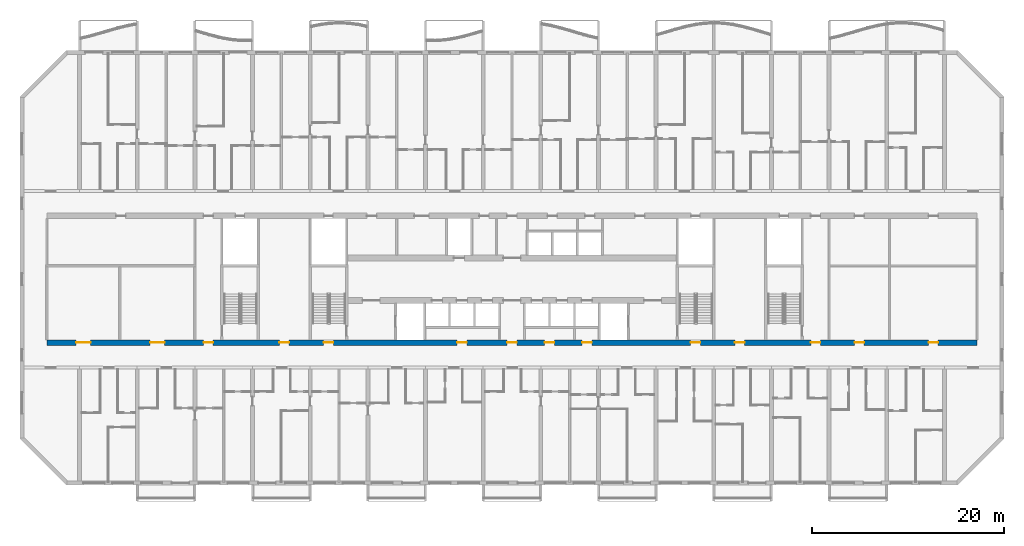
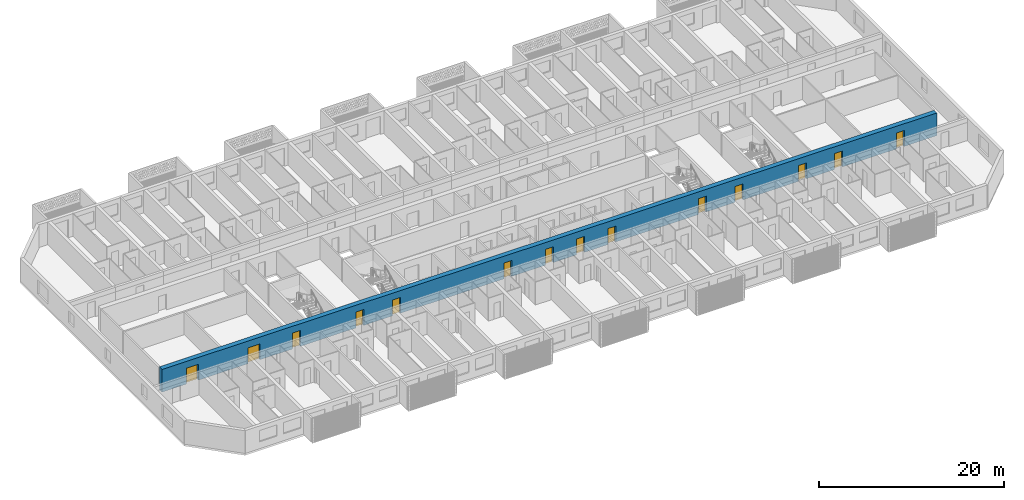
# One storey, part 7 of 38: 14 doors, 1 wall, 14 openings.
"""IFC4 building model written with IfcOpenShell, lengths in metres."""

from ifc_helpers import new_model, si_unit, direction, frame, frame_2d, origin, place, context, subcontext, project, spatial, rectangle, extrude, material, layer, layer_set, type_object, element, fill, save


model = new_model("IFC4")

# Units and contexts
model_context = context("Model", 3, precision=1e-05, world=origin(), true_north=direction((0.0, 1.0)))
body_context = subcontext(model_context, "Body", "Model", "MODEL_VIEW")
ifc_project = project(units=[si_unit("LENGTHUNIT", "METRE"), si_unit("AREAUNIT", "SQUARE_METRE"), si_unit("VOLUMEUNIT", "CUBIC_METRE"), si_unit("PLANEANGLEUNIT", "RADIAN"), si_unit("MASSUNIT", "GRAM", prefix="KILO")], contexts=[model_context])

# Site, building, storey
site_placement = place(None, origin())
site = spatial("IfcSite", under=ifc_project, at=site_placement, CompositionType="ELEMENT")
building_placement = place(site_placement, origin())
building = spatial("IfcBuilding", under=site, at=building_placement, Name="Poui Terraces", CompositionType="ELEMENT")
storey_placement = place(building_placement, frame((0.0, 0.0, 49.800048828125)))
storey = spatial("IfcBuildingStorey", under=building, at=storey_placement, Name="L13", CompositionType="ELEMENT", Elevation=49.800048828125)

# Wall, openings, doors
ifc_material_1 = material(Name="Concrete 80 MPa", Category="concrete")
ifc_layer = layer(ifc_material_1, 0.60009765625)
ifc_layer_set = layer_set([ifc_layer], Name="Concrete 80 MPa")
wall_type = type_object("IfcWallType", Name="SPINE WALL 600 80 MPA", PredefinedType="SOLIDWALL", material=ifc_layer_set)
wall_placement = place(storey_placement, frame((2.60009765625, 14.60009765625, 0.0), z_axis=(0.0, 0.0, 1.0), x_axis=(1.0, 0.0, 0.0)))
wall = element("IfcWall", 1, at=wall_placement, inside=storey, type_object=wall_type, Name="SPINE WALL", PredefinedType="SOLIDWALL", context=body_context, shape_type="SweptSolid", body=[
    extrude(rectangle(XDim=96.7998046875, YDim=0.60009765625, at=frame_2d((48.39990234375, 0.0))), origin(), (0.0, 0.0, 1.0), 3.0),
])
opening_1_placement = place(wall_placement, frame((3.050048828125, 0.0, 0.0)))
opening_1 = element("IfcOpeningElement", 2, at=opening_1_placement, cuts=wall, Name="Opening FDP", PredefinedType="OPENING", context=body_context, shape_type="SweptSolid", body=[
    extrude(rectangle(XDim=1.5, YDim=2.10009765625, at=frame_2d((0.75, 1.050048828125))), frame((0.0, 0.31005859375, 0.0), z_axis=(0.0, -1.0, 0.0), x_axis=(1.0, 0.0, 0.0)), (0.0, 0.0, 1.0), 0.6201171875),
])
opening_2_placement = place(wall_placement, frame((10.75, 0.0, 0.0)))
opening_2 = element("IfcOpeningElement", 3, at=opening_2_placement, cuts=wall, Name="Opening FDP", PredefinedType="OPENING", context=body_context, shape_type="SweptSolid", body=[
    extrude(rectangle(XDim=1.5, YDim=2.10009765625, at=frame_2d((0.75, 1.050048828125))), frame((0.0, 0.31005859375, 0.0), z_axis=(0.0, -1.0, 0.0), x_axis=(1.0, 0.0, 0.0)), (0.0, 0.0, 1.0), 0.6201171875),
])
opening_3_placement = place(wall_placement, frame((16.300048828125, 0.0, 0.0)))
opening_3 = element("IfcOpeningElement", 4, at=opening_3_placement, cuts=wall, Name="Opening FDL", PredefinedType="OPENING", context=body_context, shape_type="SweptSolid", body=[
    extrude(rectangle(XDim=1.0, YDim=2.10009765625, at=frame_2d((0.5, 1.050048828125))), frame((0.0, 0.31005859375, 0.0), z_axis=(0.0, -1.0, 0.0), x_axis=(1.0, 0.0, 0.0)), (0.0, 0.0, 1.0), 0.6201171875),
])
opening_4_placement = place(wall_placement, frame((24.199951171875, 0.0, 0.0)))
opening_4 = element("IfcOpeningElement", 5, at=opening_4_placement, cuts=wall, Name="Opening D100", PredefinedType="OPENING", context=body_context, shape_type="SweptSolid", body=[
    extrude(rectangle(XDim=1.0, YDim=2.10009765625, at=frame_2d((0.5, 1.050048828125))), frame((0.0, 0.31005859375, 0.0), z_axis=(0.0, -1.0, 0.0), x_axis=(1.0, 0.0, 0.0)), (0.0, 0.0, 1.0), 0.6201171875),
])
opening_5_placement = place(wall_placement, frame((28.800048828125, 0.0, 0.0)))
opening_5 = element("IfcOpeningElement", 6, at=opening_5_placement, cuts=wall, Name="Opening FD60S", PredefinedType="OPENING", context=body_context, shape_type="SweptSolid", body=[
    extrude(rectangle(XDim=1.0, YDim=2.10009765625, at=frame_2d((0.5, 1.050048828125))), frame((0.0, 0.31005859375, 0.0), z_axis=(0.0, -1.0, 0.0), x_axis=(1.0, 0.0, 0.0)), (0.0, 0.0, 1.0), 0.6201171875),
])
opening_6_placement = place(wall_placement, frame((42.699951171875, 0.0, 0.0)))
opening_6 = element("IfcOpeningElement", 7, at=opening_6_placement, cuts=wall, Name="Opening FD60", PredefinedType="OPENING", context=body_context, shape_type="SweptSolid", body=[
    extrude(rectangle(XDim=1.0, YDim=2.10009765625, at=frame_2d((0.5, 1.050048828125))), frame((0.0, 0.31005859375, 0.0), z_axis=(0.0, -1.0, 0.0), x_axis=(1.0, 0.0, 0.0)), (0.0, 0.0, 1.0), 0.6201171875),
])
opening_7_placement = place(wall_placement, frame((47.89990234375, 0.0, 0.0)))
opening_7 = element("IfcOpeningElement", 8, at=opening_7_placement, cuts=wall, Name="Opening FDL", PredefinedType="OPENING", context=body_context, shape_type="SweptSolid", body=[
    extrude(rectangle(XDim=1.0, YDim=2.10009765625, at=frame_2d((0.5, 1.050048828125))), frame((0.0, 0.31005859375, 0.0), z_axis=(0.0, -1.0, 0.0), x_axis=(1.0, 0.0, 0.0)), (0.0, 0.0, 1.0), 0.6201171875),
])
opening_8_placement = place(wall_placement, frame((51.800048828125, 0.0, 0.0)))
opening_8 = element("IfcOpeningElement", 9, at=opening_8_placement, cuts=wall, Name="Opening FD60", PredefinedType="OPENING", context=body_context, shape_type="SweptSolid", body=[
    extrude(rectangle(XDim=1.0, YDim=2.10009765625, at=frame_2d((0.5, 1.050048828125))), frame((0.0, 0.31005859375, 0.0), z_axis=(0.0, -1.0, 0.0), x_axis=(1.0, 0.0, 0.0)), (0.0, 0.0, 1.0), 0.6201171875),
])
opening_9_placement = place(wall_placement, frame((55.699951171875, 0.0, 0.0)))
opening_9 = element("IfcOpeningElement", 10, at=opening_9_placement, cuts=wall, Name="Opening FD60", PredefinedType="OPENING", context=body_context, shape_type="SweptSolid", body=[
    extrude(rectangle(XDim=1.0, YDim=2.10009765625, at=frame_2d((0.5, 1.050048828125))), frame((0.0, 0.31005859375, 0.0), z_axis=(0.0, -1.0, 0.0), x_axis=(1.0, 0.0, 0.0)), (0.0, 0.0, 1.0), 0.6201171875),
])
opening_10_placement = place(wall_placement, frame((67.0, 0.0, 0.0)))
opening_10 = element("IfcOpeningElement", 11, at=opening_10_placement, cuts=wall, Name="Opening FD60S", PredefinedType="OPENING", context=body_context, shape_type="SweptSolid", body=[
    extrude(rectangle(XDim=1.0, YDim=2.10009765625, at=frame_2d((0.5, 1.050048828125))), frame((0.0, 0.31005859375, 0.0), z_axis=(0.0, -1.0, 0.0), x_axis=(1.0, 0.0, 0.0)), (0.0, 0.0, 1.0), 0.6201171875),
])
opening_11_placement = place(wall_placement, frame((71.60009765625, 0.0, 0.0)))
opening_11 = element("IfcOpeningElement", 12, at=opening_11_placement, cuts=wall, Name="Opening D100", PredefinedType="OPENING", context=body_context, shape_type="SweptSolid", body=[
    extrude(rectangle(XDim=1.0, YDim=2.10009765625, at=frame_2d((0.5, 1.050048828125))), frame((0.0, 0.31005859375, 0.0), z_axis=(0.0, -1.0, 0.0), x_axis=(1.0, 0.0, 0.0)), (0.0, 0.0, 1.0), 0.6201171875),
])
opening_12_placement = place(wall_placement, frame((79.5, 0.0, 0.0)))
opening_12 = element("IfcOpeningElement", 13, at=opening_12_placement, cuts=wall, Name="Opening FDL", PredefinedType="OPENING", context=body_context, shape_type="SweptSolid", body=[
    extrude(rectangle(XDim=1.0, YDim=2.10009765625, at=frame_2d((0.5, 1.050048828125))), frame((0.0, 0.31005859375, 0.0), z_axis=(0.0, -1.0, 0.0), x_axis=(1.0, 0.0, 0.0)), (0.0, 0.0, 1.0), 0.6201171875),
])
opening_13_placement = place(wall_placement, frame((84.050048828125, 0.0, 0.0)))
opening_13 = element("IfcOpeningElement", 14, at=opening_13_placement, cuts=wall, Name="Opening FD60", PredefinedType="OPENING", context=body_context, shape_type="SweptSolid", body=[
    extrude(rectangle(XDim=1.0, YDim=2.10009765625, at=frame_2d((0.5, 1.050048828125))), frame((0.0, 0.31005859375, 0.0), z_axis=(0.0, -1.0, 0.0), x_axis=(1.0, 0.0, 0.0)), (0.0, 0.0, 1.0), 0.6201171875),
])
opening_14_placement = place(wall_placement, frame((91.75, 0.0, 0.0)))
opening_14 = element("IfcOpeningElement", 15, at=opening_14_placement, cuts=wall, Name="Opening FD60", PredefinedType="OPENING", context=body_context, shape_type="SweptSolid", body=[
    extrude(rectangle(XDim=1.0, YDim=2.10009765625, at=frame_2d((0.5, 1.050048828125))), frame((0.0, 0.31005859375, 0.0), z_axis=(0.0, -1.0, 0.0), x_axis=(1.0, 0.0, 0.0)), (0.0, 0.0, 1.0), 0.6201171875),
])
ifc_material_2 = material(Name="Solid core timber door", Category="wood")
door_type_1 = type_object("IfcDoorType", Name="ACCESSIBLE INTERNAL DOOR 1000 X 2100", OperationType="NOTDEFINED", PredefinedType="DOOR", material=ifc_material_2)
door_1_placement = place(opening_4_placement, frame((1.0, 0.0, 0.0), z_axis=(0.0, 0.0, 1.0), x_axis=(-1.0, 0.0, 0.0)))
door_1 = element("IfcDoor", 16, at=door_1_placement, inside=storey, type_object=door_type_1, Name="ACCESSIBLE INTERNAL DOOR 020", OperationType="SINGLE_SWING_RIGHT", OverallHeight=2.10009765625, OverallWidth=1.0, PredefinedType="DOOR", context=body_context, shape_type="SweptSolid", body=[
    extrude(rectangle(XDim=1.0, YDim=2.10009765625, at=frame_2d((0.5, 1.050048828125))), frame((0.0, 0.02490234375, 0.0), z_axis=(0.0, -1.0, 0.0), x_axis=(1.0, 0.0, 0.0)), (0.0, 0.0, 1.0), 0.050048828125),
])
fill(opening_4, door_1)
door_2_placement = place(opening_11_placement, frame((1.0, 0.0, 0.0), z_axis=(0.0, 0.0, 1.0), x_axis=(-1.0, 0.0, 0.0)))
door_2 = element("IfcDoor", 17, at=door_2_placement, inside=storey, type_object=door_type_1, Name="ACCESSIBLE INTERNAL DOOR 027", OperationType="SINGLE_SWING_LEFT", OverallHeight=2.10009765625, OverallWidth=1.0, PredefinedType="DOOR", context=body_context, shape_type="SweptSolid", body=[
    extrude(rectangle(XDim=1.0, YDim=2.10009765625, at=frame_2d((0.5, 1.050048828125))), frame((0.0, 0.02490234375, 0.0), z_axis=(0.0, -1.0, 0.0), x_axis=(1.0, 0.0, 0.0)), (0.0, 0.0, 1.0), 0.050048828125),
])
fill(opening_11, door_2)
ifc_material_3 = material(Name="Steel fire door", Category="steel")
door_type_2 = type_object("IfcDoorType", Name="LOBBY FIRE DOOR 1000 X 2100", OperationType="NOTDEFINED", PredefinedType="DOOR", material=ifc_material_3)
door_3_placement = place(opening_3_placement, frame((1.0, 0.0, 0.0), z_axis=(0.0, 0.0, 1.0), x_axis=(-1.0, 0.0, 0.0)))
door_3 = element("IfcDoor", 18, at=door_3_placement, inside=storey, type_object=door_type_2, Name="LOBBY FIRE DOOR 019", OperationType="SINGLE_SWING_RIGHT", OverallHeight=2.10009765625, OverallWidth=1.0, PredefinedType="DOOR", context=body_context, shape_type="SweptSolid", body=[
    extrude(rectangle(XDim=1.0, YDim=2.10009765625, at=frame_2d((0.5, 1.050048828125))), frame((0.0, 0.02490234375, 0.0), z_axis=(0.0, -1.0, 0.0), x_axis=(1.0, 0.0, 0.0)), (0.0, 0.0, 1.0), 0.050048828125),
])
fill(opening_3, door_3)
door_4_placement = place(opening_7_placement, frame((1.0, 0.0, 0.0), z_axis=(0.0, 0.0, 1.0), x_axis=(-1.0, 0.0, 0.0)))
door_4 = element("IfcDoor", 19, at=door_4_placement, inside=storey, type_object=door_type_2, Name="LOBBY FIRE DOOR 023", OperationType="SINGLE_SWING_LEFT", OverallHeight=2.10009765625, OverallWidth=1.0, PredefinedType="DOOR", context=body_context, shape_type="SweptSolid", body=[
    extrude(rectangle(XDim=1.0, YDim=2.10009765625, at=frame_2d((0.5, 1.050048828125))), frame((0.0, 0.02490234375, 0.0), z_axis=(0.0, -1.0, 0.0), x_axis=(1.0, 0.0, 0.0)), (0.0, 0.0, 1.0), 0.050048828125),
])
fill(opening_7, door_4)
door_5_placement = place(opening_12_placement, frame((1.0, 0.0, 0.0), z_axis=(0.0, 0.0, 1.0), x_axis=(-1.0, 0.0, 0.0)))
door_5 = element("IfcDoor", 20, at=door_5_placement, inside=storey, type_object=door_type_2, Name="LOBBY FIRE DOOR 028", OperationType="SINGLE_SWING_LEFT", OverallHeight=2.10009765625, OverallWidth=1.0, PredefinedType="DOOR", context=body_context, shape_type="SweptSolid", body=[
    extrude(rectangle(XDim=1.0, YDim=2.10009765625, at=frame_2d((0.5, 1.050048828125))), frame((0.0, 0.02490234375, 0.0), z_axis=(0.0, -1.0, 0.0), x_axis=(1.0, 0.0, 0.0)), (0.0, 0.0, 1.0), 0.050048828125),
])
fill(opening_12, door_5)
door_type_3 = type_object("IfcDoorType", Name="PLANT ROOM DOOR PAIR 1500 X 2100", OperationType="DOUBLE_DOOR_SINGLE_SWING", PredefinedType="DOOR", material=ifc_material_3)
door_6_placement = place(opening_1_placement, frame((1.5, 0.0, 0.0), z_axis=(0.0, 0.0, 1.0), x_axis=(-1.0, 0.0, 0.0)))
door_6 = element("IfcDoor", 21, at=door_6_placement, inside=storey, type_object=door_type_3, Name="PLANT ROOM DOOR PAIR 017", OperationType="DOUBLE_DOOR_SINGLE_SWING", OverallHeight=2.10009765625, OverallWidth=1.5, PredefinedType="DOOR", context=body_context, shape_type="SweptSolid", body=[
    extrude(rectangle(XDim=1.5, YDim=2.10009765625, at=frame_2d((0.75, 1.050048828125))), frame((0.0, 0.02490234375, 0.0), z_axis=(0.0, -1.0, 0.0), x_axis=(1.0, 0.0, 0.0)), (0.0, 0.0, 1.0), 0.050048828125),
])
fill(opening_1, door_6)
door_7_placement = place(opening_2_placement, frame((1.5, 0.0, 0.0), z_axis=(0.0, 0.0, 1.0), x_axis=(-1.0, 0.0, 0.0)))
door_7 = element("IfcDoor", 22, at=door_7_placement, inside=storey, type_object=door_type_3, Name="PLANT ROOM DOOR PAIR 018", OperationType="DOUBLE_DOOR_SINGLE_SWING", OverallHeight=2.10009765625, OverallWidth=1.5, PredefinedType="DOOR", context=body_context, shape_type="SweptSolid", body=[
    extrude(rectangle(XDim=1.5, YDim=2.10009765625, at=frame_2d((0.75, 1.050048828125))), frame((0.0, 0.02490234375, 0.0), z_axis=(0.0, -1.0, 0.0), x_axis=(1.0, 0.0, 0.0)), (0.0, 0.0, 1.0), 0.050048828125),
])
fill(opening_2, door_7)
door_type_4 = type_object("IfcDoorType", Name="SERVICE ROOM FIRE DOOR 1000 X 2100", OperationType="NOTDEFINED", PredefinedType="DOOR", material=ifc_material_3)
door_8_placement = place(opening_6_placement, frame((1.0, 0.0, 0.0), z_axis=(0.0, 0.0, 1.0), x_axis=(-1.0, 0.0, 0.0)))
door_8 = element("IfcDoor", 23, at=door_8_placement, inside=storey, type_object=door_type_4, Name="SERVICE ROOM FIRE DOOR 022", OperationType="SINGLE_SWING_LEFT", OverallHeight=2.10009765625, OverallWidth=1.0, PredefinedType="DOOR", context=body_context, shape_type="SweptSolid", body=[
    extrude(rectangle(XDim=1.0, YDim=2.10009765625, at=frame_2d((0.5, 1.050048828125))), frame((0.0, 0.02490234375, 0.0), z_axis=(0.0, -1.0, 0.0), x_axis=(1.0, 0.0, 0.0)), (0.0, 0.0, 1.0), 0.050048828125),
])
fill(opening_6, door_8)
door_9_placement = place(opening_8_placement, frame((1.0, 0.0, 0.0), z_axis=(0.0, 0.0, 1.0), x_axis=(-1.0, 0.0, 0.0)))
door_9 = element("IfcDoor", 24, at=door_9_placement, inside=storey, type_object=door_type_4, Name="SERVICE ROOM FIRE DOOR 024", OperationType="SINGLE_SWING_RIGHT", OverallHeight=2.10009765625, OverallWidth=1.0, PredefinedType="DOOR", context=body_context, shape_type="SweptSolid", body=[
    extrude(rectangle(XDim=1.0, YDim=2.10009765625, at=frame_2d((0.5, 1.050048828125))), frame((0.0, 0.02490234375, 0.0), z_axis=(0.0, -1.0, 0.0), x_axis=(1.0, 0.0, 0.0)), (0.0, 0.0, 1.0), 0.050048828125),
])
fill(opening_8, door_9)
door_10_placement = place(opening_9_placement, frame((1.0, 0.0, 0.0), z_axis=(0.0, 0.0, 1.0), x_axis=(-1.0, 0.0, 0.0)))
door_10 = element("IfcDoor", 25, at=door_10_placement, inside=storey, type_object=door_type_4, Name="SERVICE ROOM FIRE DOOR 025", OperationType="SINGLE_SWING_LEFT", OverallHeight=2.10009765625, OverallWidth=1.0, PredefinedType="DOOR", context=body_context, shape_type="SweptSolid", body=[
    extrude(rectangle(XDim=1.0, YDim=2.10009765625, at=frame_2d((0.5, 1.050048828125))), frame((0.0, 0.02490234375, 0.0), z_axis=(0.0, -1.0, 0.0), x_axis=(1.0, 0.0, 0.0)), (0.0, 0.0, 1.0), 0.050048828125),
])
fill(opening_9, door_10)
door_11_placement = place(opening_13_placement, frame((1.0, 0.0, 0.0), z_axis=(0.0, 0.0, 1.0), x_axis=(-1.0, 0.0, 0.0)))
door_11 = element("IfcDoor", 26, at=door_11_placement, inside=storey, type_object=door_type_4, Name="SERVICE ROOM FIRE DOOR 029", OperationType="SINGLE_SWING_LEFT", OverallHeight=2.10009765625, OverallWidth=1.0, PredefinedType="DOOR", context=body_context, shape_type="SweptSolid", body=[
    extrude(rectangle(XDim=1.0, YDim=2.10009765625, at=frame_2d((0.5, 1.050048828125))), frame((0.0, 0.02490234375, 0.0), z_axis=(0.0, -1.0, 0.0), x_axis=(1.0, 0.0, 0.0)), (0.0, 0.0, 1.0), 0.050048828125),
])
fill(opening_13, door_11)
door_12_placement = place(opening_14_placement, frame((1.0, 0.0, 0.0), z_axis=(0.0, 0.0, 1.0), x_axis=(-1.0, 0.0, 0.0)))
door_12 = element("IfcDoor", 27, at=door_12_placement, inside=storey, type_object=door_type_4, Name="SERVICE ROOM FIRE DOOR 030", OperationType="SINGLE_SWING_RIGHT", OverallHeight=2.10009765625, OverallWidth=1.0, PredefinedType="DOOR", context=body_context, shape_type="SweptSolid", body=[
    extrude(rectangle(XDim=1.0, YDim=2.10009765625, at=frame_2d((0.5, 1.050048828125))), frame((0.0, 0.02490234375, 0.0), z_axis=(0.0, -1.0, 0.0), x_axis=(1.0, 0.0, 0.0)), (0.0, 0.0, 1.0), 0.050048828125),
])
fill(opening_14, door_12)
door_type_5 = type_object("IfcDoorType", Name="STAIR DOOR 1000 X 2100", OperationType="NOTDEFINED", PredefinedType="DOOR", material=ifc_material_3)
door_13_placement = place(opening_5_placement, origin())
door_13 = element("IfcDoor", 28, at=door_13_placement, inside=storey, type_object=door_type_5, Name="STAIR DOOR 021", OperationType="SINGLE_SWING_RIGHT", OverallHeight=2.10009765625, OverallWidth=1.0, PredefinedType="DOOR", context=body_context, shape_type="SweptSolid", body=[
    extrude(rectangle(XDim=1.0, YDim=2.10009765625, at=frame_2d((0.5, 1.050048828125))), frame((0.0, 0.02490234375, 0.0), z_axis=(0.0, -1.0, 0.0), x_axis=(1.0, 0.0, 0.0)), (0.0, 0.0, 1.0), 0.050048828125),
])
fill(opening_5, door_13)
door_14_placement = place(opening_10_placement, origin())
door_14 = element("IfcDoor", 29, at=door_14_placement, inside=storey, type_object=door_type_5, Name="STAIR DOOR 026", OperationType="SINGLE_SWING_RIGHT", OverallHeight=2.10009765625, OverallWidth=1.0, PredefinedType="DOOR", context=body_context, shape_type="SweptSolid", body=[
    extrude(rectangle(XDim=1.0, YDim=2.10009765625, at=frame_2d((0.5, 1.050048828125))), frame((0.0, 0.02490234375, 0.0), z_axis=(0.0, -1.0, 0.0), x_axis=(1.0, 0.0, 0.0)), (0.0, 0.0, 1.0), 0.050048828125),
])
fill(opening_10, door_14)

save(model, "model.ifc")
